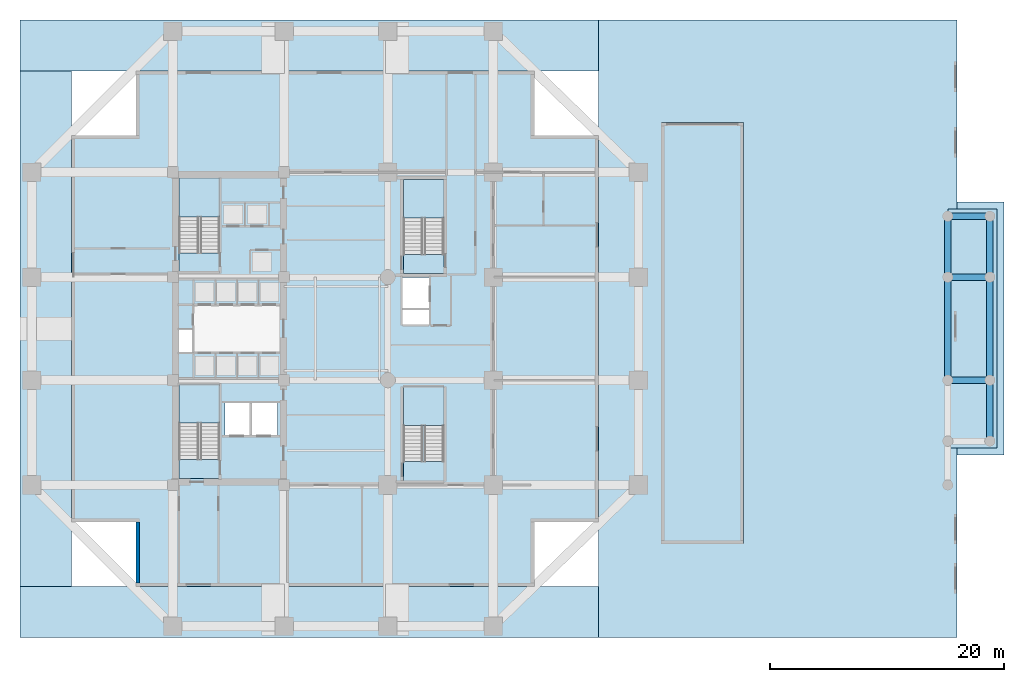
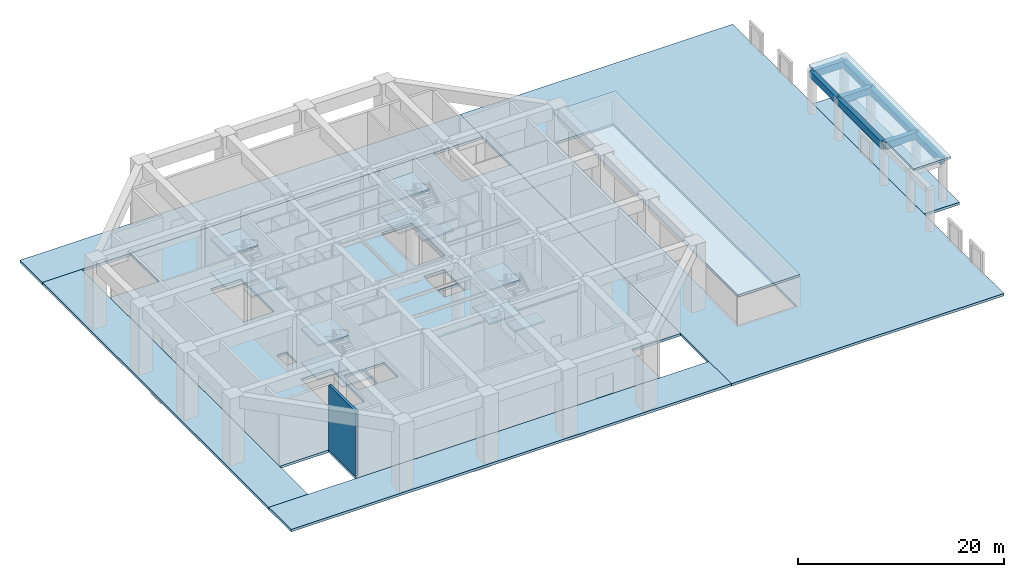
# One storey, part 2 of 10: 20 slabs, 8 beams, 1 wall, 4 elements without a shape of their own.
"""IFC4 building model written with IfcOpenShell, lengths in metres."""

from ifc_helpers import new_model, si_unit, direction, frame, frame_2d, origin, origin_2d, place, context, subcontext, project, spatial, polyline, rectangle, outline, extrude, material, layer, layer_set, material_profile, profile_set, type_object, element, aggregate, save


model = new_model("IFC4")

# Units and contexts
model_context = context("Model", 3, precision=1e-05, world=origin(), true_north=direction((0.0, 1.0)))
body_context = subcontext(model_context, "Body", "Model", "MODEL_VIEW")
ifc_project = project(units=[si_unit("LENGTHUNIT", "METRE"), si_unit("AREAUNIT", "SQUARE_METRE"), si_unit("VOLUMEUNIT", "CUBIC_METRE"), si_unit("PLANEANGLEUNIT", "RADIAN"), si_unit("MASSUNIT", "GRAM", prefix="KILO")], contexts=[model_context])

# Site, building, storey
site_placement = place(None, origin())
site = spatial("IfcSite", under=ifc_project, at=site_placement, CompositionType="ELEMENT")
building_placement = place(site_placement, origin())
building = spatial("IfcBuilding", under=site, at=building_placement, Name="Kundavana Baori Tower", CompositionType="ELEMENT")
storey_placement = place(building_placement, origin())
storey = spatial("IfcBuildingStorey", under=building, at=storey_placement, Name="L00", CompositionType="ELEMENT", Elevation=0.0)

# Beams
ifc_material_1 = material(Name="Concrete C50/60", Category="concrete")
ifc_material_profile = material_profile(ifc_material_1, rectangle(XDim=0.550048828125, YDim=0.800048828125, at=origin_2d()), Name="RC BM 550x800")
ifc_profile_set = profile_set([ifc_material_profile], Name="Concrete C50/60")
beam_type = type_object("IfcBeamType", Name="BM-RC-800", PredefinedType="BEAM", material=ifc_profile_set)
beam_1_placement = place(storey_placement, frame((81.60009765625, 24.199951171875, 4.60009765625), z_axis=(0.0, 1.0, 0.0), x_axis=(-1.0, 0.0, 0.0)))
element("IfcBeam", 1, at=beam_1_placement, inside=storey, type_object=beam_type, Name="Porte-Cochere Inner Support Girder 3", PredefinedType="BEAM", context=body_context, shape_type="SweptSolid", body=[
    extrude(rectangle(XDim=0.550048828125, YDim=0.800048828125, at=origin_2d()), origin(), (0.0, 0.0, 1.0), 8.800048828125),
])
beam_2_placement = place(storey_placement, frame((81.60009765625, 33.0, 4.60009765625), z_axis=(0.0, 1.0, 0.0), x_axis=(-1.0, 0.0, 0.0)))
element("IfcBeam", 2, at=beam_2_placement, inside=storey, type_object=beam_type, Name="Porte-Cochere Inner Support Girder 4", PredefinedType="BEAM", context=body_context, shape_type="SweptSolid", body=[
    extrude(rectangle(XDim=0.550048828125, YDim=0.800048828125, at=origin_2d()), origin(), (0.0, 0.0, 1.0), 5.199951171875),
])
for number, where, z_axis, x_axis, name in (
    (3, (81.60009765625, 24.199951171875, 4.60009765625), (1.0, 0.0, 0.0), (0.0, 1.0, 0.0), "Porte-Cochere Canopy Girder 2"),
    (4, (81.60009765625, 33.0, 4.60009765625), (1.0, 0.0, 0.0), (0.0, 1.0, 0.0), "Porte-Cochere Canopy Girder 3"),
    (5, (81.60009765625, 38.199951171875, 4.60009765625), (1.0, 0.0, 0.0), (0.0, 1.0, 0.0), "Porte-Cochere Canopy Girder 4"),
):
    element("IfcBeam", number, at=place(storey_placement, frame(where, z_axis=z_axis, x_axis=x_axis)), inside=storey, type_object=beam_type, Name=name, PredefinedType="BEAM", context=body_context, shape_type="SweptSolid", body=[
        extrude(rectangle(XDim=0.550048828125, YDim=0.800048828125, at=origin_2d()), origin(), (0.0, 0.0, 1.0), 3.599853515625),
    ])
beam_3_placement = place(storey_placement, frame((85.199951171875, 19.0, 4.60009765625), z_axis=(0.0, 1.0, 0.0), x_axis=(-1.0, 0.0, 0.0)))
element("IfcBeam", 6, at=beam_3_placement, inside=storey, type_object=beam_type, Name="Porte-Cochere Outer Edge Beam 1", PredefinedType="BEAM", context=body_context, shape_type="SweptSolid", body=[
    extrude(rectangle(XDim=0.550048828125, YDim=0.800048828125, at=origin_2d()), origin(), (0.0, 0.0, 1.0), 5.199951171875),
])
beam_4_placement = place(storey_placement, frame((85.199951171875, 24.199951171875, 4.60009765625), z_axis=(0.0, 1.0, 0.0), x_axis=(-1.0, 0.0, 0.0)))
element("IfcBeam", 7, at=beam_4_placement, inside=storey, type_object=beam_type, Name="Porte-Cochere Outer Edge Beam 2", PredefinedType="BEAM", context=body_context, shape_type="SweptSolid", body=[
    extrude(rectangle(XDim=0.550048828125, YDim=0.800048828125, at=origin_2d()), origin(), (0.0, 0.0, 1.0), 8.800048828125),
])
beam_5_placement = place(storey_placement, frame((85.199951171875, 33.0, 4.60009765625), z_axis=(0.0, 1.0, 0.0), x_axis=(-1.0, 0.0, 0.0)))
element("IfcBeam", 8, at=beam_5_placement, inside=storey, type_object=beam_type, Name="Porte-Cochere Outer Edge Beam 3", PredefinedType="BEAM", context=body_context, shape_type="SweptSolid", body=[
    extrude(rectangle(XDim=0.550048828125, YDim=0.800048828125, at=origin_2d()), origin(), (0.0, 0.0, 1.0), 5.199951171875),
])

# Slabs
ifc_material_2 = material(Name="Concrete C40/50", Category="concrete")
ifc_layer_1 = layer(ifc_material_2, 0.300048828125, Name="SLB-FLR-300")
ifc_layer_set_1 = layer_set([ifc_layer_1], Name="Concrete C40/50")
slab_type_1 = type_object("IfcSlabType", Name="SLB-FLR-300", PredefinedType="FLOOR", material=ifc_layer_set_1)
slab_1_placement = place(storey_placement, frame((0.0, 0.0, -0.300048828125)))
element("IfcSlab", 9, at=slab_1_placement, inside=storey, type_object=slab_type_1, Name="L00 East Basement Wing Structural Deck and Driveway Apron", PredefinedType="FLOOR", context=body_context, shape_type="SweptSolid", body=[
    extrude(outline(polyline([(51.800048828125, 2.25), (82.39990234375, 2.25), (82.39990234375, 54.949951171875), (51.800048828125, 54.949951171875), (51.800048828125, 2.25)]), holes=[polyline([(57.39990234375, 10.5), (63.89990234375, 10.5), (63.89990234375, 46.199951171875), (57.39990234375, 46.199951171875), (57.39990234375, 10.5)])]), origin(), (0.0, 0.0, 1.0), 0.300048828125),
])
slab_2_placement = place(storey_placement, frame((0.0, 0.0, -0.300048828125)))
element("IfcSlab", 10, at=slab_2_placement, inside=storey, type_object=slab_type_1, Name="L00 Structural Floor Slab", PredefinedType="FLOOR", context=body_context, shape_type="SweptSolid", body=[
    extrude(outline(polyline([(12.300048828125, 6.60009765625), (46.300048828125, 6.60009765625), (46.300048828125, 12.10009765625), (51.800048828125, 12.10009765625), (51.800048828125, 45.10009765625), (46.300048828125, 45.10009765625), (46.300048828125, 50.60009765625), (12.300048828125, 50.60009765625), (12.300048828125, 45.10009765625), (6.800048828125, 45.10009765625), (6.800048828125, 12.10009765625), (12.300048828125, 12.10009765625), (12.300048828125, 6.60009765625)]), holes=[polyline([(19.43994140625, 17.4619140625), (19.43994140625, 23.85009765625), (15.97998046875, 23.85009765625), (15.97998046875, 17.4619140625), (19.43994140625, 17.4619140625)]), polyline([(19.43994140625, 35.06201171875), (19.43994140625, 41.449951171875), (15.97998046875, 41.449951171875), (15.97998046875, 35.06201171875), (19.43994140625, 35.06201171875)]), polyline([(38.580078125, 34.9619140625), (38.580078125, 41.35009765625), (35.1201171875, 41.35009765625), (35.1201171875, 34.9619140625), (38.580078125, 34.9619140625)]), polyline([(19.8798828125, 19.5), (22.02001953125, 19.5), (22.02001953125, 22.25), (19.8798828125, 22.25), (19.8798828125, 19.5)]), polyline([(22.179931640625, 19.5), (24.3798828125, 19.5), (24.3798828125, 22.25), (22.179931640625, 22.25), (22.179931640625, 19.5)]), polyline([(35.050048828125, 30.35009765625), (37.300048828125, 30.35009765625), (37.300048828125, 32.949951171875), (35.050048828125, 32.949951171875), (35.050048828125, 30.35009765625)]), polyline([(15.949951171875, 26.60009765625), (17.080078125, 26.60009765625), (17.080078125, 28.5), (15.949951171875, 28.5), (15.949951171875, 26.60009765625)]), polyline([(35.050048828125, 28.949951171875), (37.300048828125, 28.949951171875), (37.300048828125, 30.199951171875), (35.050048828125, 30.199951171875), (35.050048828125, 28.949951171875)])]), origin(), (0.0, 0.0, 1.0), 0.300048828125),
])

# Stair, slabs
ifc_material_3 = material(Name="Concrete C40/50", Category="concrete")
stair_type = type_object("IfcStairType", Name="STR-DOG-1650", PredefinedType="HALF_TURN_STAIR", material=ifc_material_3)
stair_1_placement = place(storey_placement, origin())
stair_1 = element("IfcStair", 11, at=stair_1_placement, inside=storey, type_object=stair_type, Name="L00 Protected Exit Stair ST1", PredefinedType="HALF_TURN_STAIR")
ifc_material_4 = material(Name="Concrete C40/50", Category="concrete")
ifc_layer_2 = layer(ifc_material_4, 0.199951171875, Name="SLB-LND-200")
ifc_layer_set_2 = layer_set([ifc_layer_2], Name="Concrete C40/50")
slab_type_2 = type_object("IfcSlabType", Name="SLB-LND-200", PredefinedType="LANDING", material=ifc_layer_set_2)
slab_3_placement = place(storey_placement, frame((0.0, 0.0, 1.800048828125)))
slab_3 = element("IfcSlab", 12, at=slab_3_placement, type_object=slab_type_2, Name="ST1 landing 1", PredefinedType="LANDING", context=body_context, shape_type="SweptSolid", body=[
    extrude(outline(polyline([(19.43994140625, 20.550048828125), (19.43994140625, 23.85009765625), (15.97998046875, 23.85009765625), (15.97998046875, 20.550048828125), (19.43994140625, 20.550048828125)])), origin(), (0.0, 0.0, 1.0), 0.199951171875),
])
slab_4_placement = place(storey_placement, frame((0.0, 0.0, 3.800048828125)))
slab_4 = element("IfcSlab", 13, at=slab_4_placement, type_object=slab_type_2, Name="ST1 landing 2", PredefinedType="LANDING", context=body_context, shape_type="SweptSolid", body=[
    extrude(outline(polyline([(19.43994140625, 15.800048828125), (19.43994140625, 17.449951171875), (15.97998046875, 17.449951171875), (15.97998046875, 15.800048828125), (19.43994140625, 15.800048828125)])), origin(), (0.0, 0.0, 1.0), 0.199951171875),
])
slab_5_placement = place(storey_placement, frame((0.0, 0.0, 5.800048828125)))
slab_5 = element("IfcSlab", 14, at=slab_5_placement, type_object=slab_type_2, Name="ST1 landing 3", PredefinedType="LANDING", context=body_context, shape_type="SweptSolid", body=[
    extrude(outline(polyline([(19.43994140625, 20.550048828125), (19.43994140625, 23.85009765625), (15.97998046875, 23.85009765625), (15.97998046875, 20.550048828125), (19.43994140625, 20.550048828125)])), origin(), (0.0, 0.0, 1.0), 0.199951171875),
])
aggregate(stair_1, [slab_3, slab_4, slab_5])

stair_2_placement = place(storey_placement, origin())
stair_2 = element("IfcStair", 15, at=stair_2_placement, inside=storey, type_object=stair_type, Name="L00 Protected Exit Stair ST2", PredefinedType="HALF_TURN_STAIR")
slab_6_placement = place(storey_placement, frame((0.0, 0.0, 1.800048828125)))
slab_6 = element("IfcSlab", 16, at=slab_6_placement, type_object=slab_type_2, Name="ST2 landing 1", PredefinedType="LANDING", context=body_context, shape_type="SweptSolid", body=[
    extrude(outline(polyline([(19.43994140625, 38.14990234375), (19.43994140625, 41.449951171875), (15.97998046875, 41.449951171875), (15.97998046875, 38.14990234375), (19.43994140625, 38.14990234375)])), origin(), (0.0, 0.0, 1.0), 0.199951171875),
])
slab_7_placement = place(storey_placement, frame((0.0, 0.0, 3.800048828125)))
slab_7 = element("IfcSlab", 17, at=slab_7_placement, type_object=slab_type_2, Name="ST2 landing 2", PredefinedType="LANDING", context=body_context, shape_type="SweptSolid", body=[
    extrude(outline(polyline([(19.43994140625, 33.39990234375), (19.43994140625, 35.050048828125), (15.97998046875, 35.050048828125), (15.97998046875, 33.39990234375), (19.43994140625, 33.39990234375)])), origin(), (0.0, 0.0, 1.0), 0.199951171875),
])
slab_8_placement = place(storey_placement, frame((0.0, 0.0, 5.800048828125)))
slab_8 = element("IfcSlab", 18, at=slab_8_placement, type_object=slab_type_2, Name="ST2 landing 3", PredefinedType="LANDING", context=body_context, shape_type="SweptSolid", body=[
    extrude(outline(polyline([(19.43994140625, 38.14990234375), (19.43994140625, 41.449951171875), (15.97998046875, 41.449951171875), (15.97998046875, 38.14990234375), (19.43994140625, 38.14990234375)])), origin(), (0.0, 0.0, 1.0), 0.199951171875),
])
aggregate(stair_2, [slab_6, slab_7, slab_8])

stair_3_placement = place(storey_placement, origin())
stair_3 = element("IfcStair", 19, at=stair_3_placement, inside=storey, type_object=stair_type, Name="L00 Protected Exit Stair ST3", PredefinedType="HALF_TURN_STAIR")
slab_9_placement = place(storey_placement, frame((0.0, 0.0, 1.800048828125)))
slab_9 = element("IfcSlab", 20, at=slab_9_placement, type_object=slab_type_2, Name="ST3 landing 1", PredefinedType="LANDING", context=body_context, shape_type="SweptSolid", body=[
    extrude(outline(polyline([(38.580078125, 38.050048828125), (38.580078125, 41.35009765625), (35.1201171875, 41.35009765625), (35.1201171875, 38.050048828125), (38.580078125, 38.050048828125)])), origin(), (0.0, 0.0, 1.0), 0.199951171875),
])
slab_10_placement = place(storey_placement, frame((0.0, 0.0, 3.800048828125)))
slab_10 = element("IfcSlab", 21, at=slab_10_placement, type_object=slab_type_2, Name="ST3 landing 2", PredefinedType="LANDING", context=body_context, shape_type="SweptSolid", body=[
    extrude(outline(polyline([(38.580078125, 33.300048828125), (38.580078125, 34.949951171875), (35.1201171875, 34.949951171875), (35.1201171875, 33.300048828125), (38.580078125, 33.300048828125)])), origin(), (0.0, 0.0, 1.0), 0.199951171875),
])
slab_11_placement = place(storey_placement, frame((0.0, 0.0, 5.800048828125)))
slab_11 = element("IfcSlab", 22, at=slab_11_placement, type_object=slab_type_2, Name="ST3 landing 3", PredefinedType="LANDING", context=body_context, shape_type="SweptSolid", body=[
    extrude(outline(polyline([(38.580078125, 38.050048828125), (38.580078125, 41.35009765625), (35.1201171875, 41.35009765625), (35.1201171875, 38.050048828125), (38.580078125, 38.050048828125)])), origin(), (0.0, 0.0, 1.0), 0.199951171875),
])
aggregate(stair_3, [slab_9, slab_10, slab_11])

stair_4_placement = place(storey_placement, origin())
stair_4 = element("IfcStair", 23, at=stair_4_placement, inside=storey, type_object=stair_type, Name="L00 Podium Atrium Stair ST4", PredefinedType="HALF_TURN_STAIR")
slab_12_placement = place(storey_placement, frame((0.0, 0.0, 1.800048828125)))
slab_12 = element("IfcSlab", 24, at=slab_12_placement, type_object=slab_type_2, Name="ST4 landing 1", PredefinedType="LANDING", context=body_context, shape_type="SweptSolid", body=[
    extrude(outline(polyline([(38.580078125, 20.35009765625), (38.580078125, 23.64990234375), (35.1201171875, 23.64990234375), (35.1201171875, 20.35009765625), (38.580078125, 20.35009765625)])), origin(), (0.0, 0.0, 1.0), 0.199951171875),
])
slab_13_placement = place(storey_placement, frame((0.0, 0.0, 3.800048828125)))
slab_13 = element("IfcSlab", 25, at=slab_13_placement, type_object=slab_type_2, Name="ST4 landing 2", PredefinedType="LANDING", context=body_context, shape_type="SweptSolid", body=[
    extrude(outline(polyline([(38.580078125, 15.60009765625), (38.580078125, 17.25), (35.1201171875, 17.25), (35.1201171875, 15.60009765625), (38.580078125, 15.60009765625)])), origin(), (0.0, 0.0, 1.0), 0.199951171875),
])
slab_14_placement = place(storey_placement, frame((0.0, 0.0, 5.800048828125)))
slab_14 = element("IfcSlab", 26, at=slab_14_placement, type_object=slab_type_2, Name="ST4 landing 3", PredefinedType="LANDING", context=body_context, shape_type="SweptSolid", body=[
    extrude(outline(polyline([(38.580078125, 20.35009765625), (38.580078125, 23.64990234375), (35.1201171875, 23.64990234375), (35.1201171875, 20.35009765625), (38.580078125, 20.35009765625)])), origin(), (0.0, 0.0, 1.0), 0.199951171875),
])
aggregate(stair_4, [slab_12, slab_13, slab_14])

# Slabs
ifc_material_5 = material(Name="Granite Paving on Concrete C40/50", Category="masonry")
ifc_layer_3 = layer(ifc_material_5, 0.199951171875, Name="SLB-PAV-200")
ifc_layer_set_3 = layer_set([ifc_layer_3], Name="Granite Paving on Concrete C40/50")
slab_type_3 = type_object("IfcSlabType", Name="SLB-PAV-200", PredefinedType="USERDEFINED", material=ifc_layer_set_3)
slab_15_placement = place(storey_placement, frame((0.0, 0.0, -0.300048828125)))
element("IfcSlab", 27, at=slab_15_placement, inside=storey, type_object=slab_type_3, Name="Civic Plaza Granite Paving and Fire-Tender Apron SLB-PLAZA-S", ObjectType="PAVING", PredefinedType="USERDEFINED", context=body_context, shape_type="SweptSolid", body=[
    extrude(outline(polyline([(2.39990234375, 2.25), (51.800048828125, 2.25), (51.800048828125, 6.60009765625), (2.39990234375, 6.60009765625), (2.39990234375, 2.25)])), origin(), (0.0, 0.0, 1.0), 0.300048828125),
])
slab_16_placement = place(storey_placement, frame((0.0, 0.0, -0.300048828125)))
element("IfcSlab", 28, at=slab_16_placement, inside=storey, type_object=slab_type_3, Name="Civic Plaza Granite Paving and Fire-Tender Apron SLB-PLAZA-N", ObjectType="PAVING", PredefinedType="USERDEFINED", context=body_context, shape_type="SweptSolid", body=[
    extrude(outline(polyline([(2.39990234375, 50.60009765625), (51.800048828125, 50.60009765625), (51.800048828125, 54.949951171875), (2.39990234375, 54.949951171875), (2.39990234375, 50.60009765625)])), origin(), (0.0, 0.0, 1.0), 0.300048828125),
])
slab_17_placement = place(storey_placement, frame((0.0, 0.0, -0.300048828125)))
element("IfcSlab", 29, at=slab_17_placement, inside=storey, type_object=slab_type_3, Name="Civic Plaza Granite Paving and Fire-Tender Apron SLB-PLAZA-W", ObjectType="PAVING", PredefinedType="USERDEFINED", context=body_context, shape_type="SweptSolid", body=[
    extrude(outline(polyline([(2.39990234375, 6.60009765625), (6.800048828125, 6.60009765625), (6.800048828125, 50.60009765625), (2.39990234375, 50.60009765625), (2.39990234375, 6.60009765625)])), origin(), (0.0, 0.0, 1.0), 0.300048828125),
])
slab_18_placement = place(storey_placement, frame((0.0, 0.0, -0.300048828125)))
element("IfcSlab", 30, at=slab_18_placement, inside=storey, type_object=slab_type_3, Name="Civic Plaza Granite Paving and Fire-Tender Apron SLB-PLAZA-PC", ObjectType="PAVING", PredefinedType="USERDEFINED", context=body_context, shape_type="SweptSolid", body=[
    extrude(outline(polyline([(82.39990234375, 17.800048828125), (86.39990234375, 17.800048828125), (86.39990234375, 39.39990234375), (82.39990234375, 39.39990234375), (82.39990234375, 17.800048828125)])), origin(), (0.0, 0.0, 1.0), 0.300048828125),
])
ifc_material_6 = material(Name="Concrete C40/50", Category="concrete")
ifc_layer_4 = layer(ifc_material_6, 0.260009765625, Name="SLB-TER-260")
ifc_layer_set_4 = layer_set([ifc_layer_4], Name="Concrete C40/50")
slab_type_4 = type_object("IfcSlabType", Name="SLB-TER-260", PredefinedType="ROOF", material=ifc_layer_set_4)
slab_19_placement = place(storey_placement, frame((0.0, 0.0, 3.5400390625)))
element("IfcSlab", 31, at=slab_19_placement, inside=storey, type_object=slab_type_4, Name="L00 Car Park Portal Headhouse Roof Slab", PredefinedType="ROOF", context=body_context, shape_type="SweptSolid", body=[
    extrude(outline(polyline([(57.14990234375, 10.25), (64.14990234375, 10.25), (64.14990234375, 46.199951171875), (57.14990234375, 46.199951171875), (57.14990234375, 10.25)])), origin(), (0.0, 0.0, 1.0), 0.260009765625),
])
slab_20_placement = place(storey_placement, frame((0.0, 0.0, 5.0)))
element("IfcSlab", 32, at=slab_20_placement, inside=storey, type_object=slab_type_4, Name="L00 Drop-Off Porte-Cochere Canopy Slab", PredefinedType="ROOF", context=body_context, shape_type="SweptSolid", body=[
    extrude(outline(polyline([(81.60009765625, 18.39990234375), (85.800048828125, 18.39990234375), (85.800048828125, 38.800048828125), (81.60009765625, 38.800048828125), (81.60009765625, 18.39990234375)])), origin(), (0.0, 0.0, 1.0), 0.260009765625),
])

# Wall
ifc_material_7 = material(Name="Red-Buff Dholpur Sandstone Cladding on Concrete C40/50", Category="masonry")
ifc_layer_5 = layer(ifc_material_7, 0.300048828125, Name="WL-EXT-SAND-300")
ifc_layer_set_5 = layer_set([ifc_layer_5], Name="Red-Buff Dholpur Sandstone Cladding on Concrete C40/50")
wall_type = type_object("IfcWallType", Name="WL-EXT-SAND-300", PredefinedType="STANDARD", material=ifc_layer_set_5)
wall_placement = place(storey_placement, frame((12.449951171875, 12.10009765625, 0.0), z_axis=(0.0, 0.0, 1.0), x_axis=(0.0, -1.0, 0.0)))
element("IfcWall", 33, at=wall_placement, inside=storey, type_object=wall_type, Name="L00 Exterior Insulated Facade Wall 12", PredefinedType="STANDARD", context=body_context, shape_type="SweptSolid", body=[
    extrude(rectangle(XDim=5.2001953125, YDim=0.300048828125, at=frame_2d((2.60009765625, 0.0))), origin(), (0.0, 0.0, 1.0), 7.719970703125),
])

save(model, "model.ifc")
